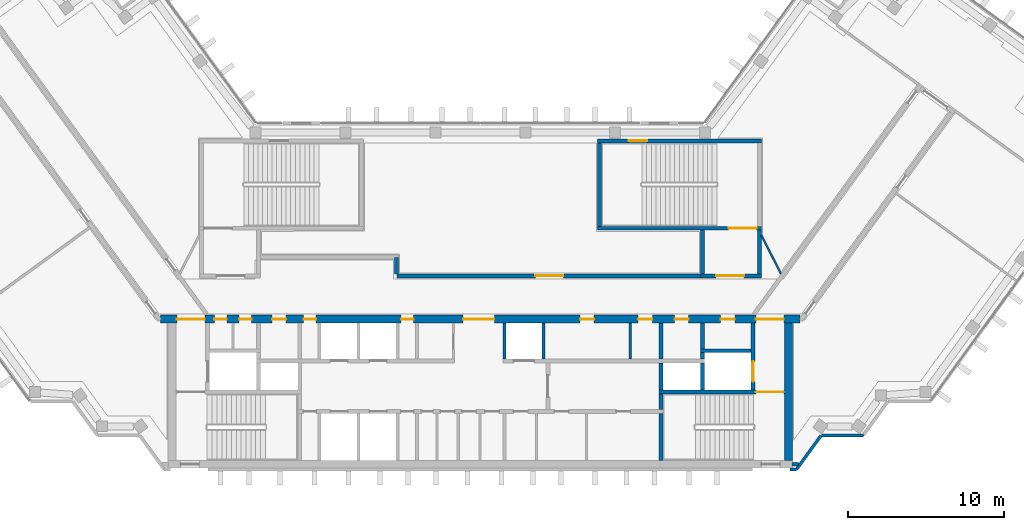
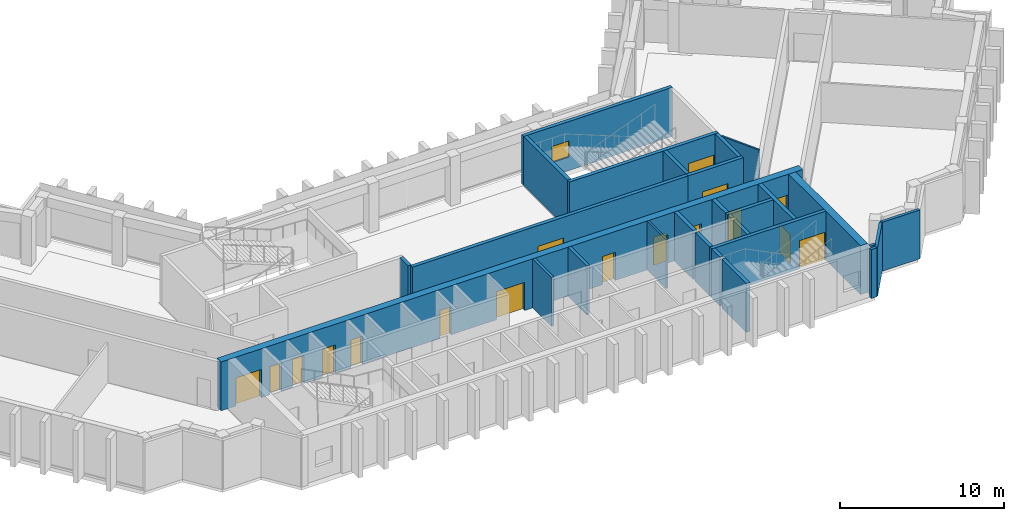
# One storey, part 5 of 8: 28 walls, 17 doors, 1 window, 18 openings.
"""IFC4 building model written with IfcOpenShell, lengths in metres."""

from ifc_helpers import new_model, si_unit, direction, frame, frame_2d, origin, place, context, subcontext, project, spatial, rectangle, extrude, material, layer, layer_set, type_object, element, fill, save


model = new_model("IFC4")

# Units and contexts
model_context = context("Model", 3, precision=1e-05, world=origin(), true_north=direction((0.0, 1.0)))
body_context = subcontext(model_context, "Body", "Model", "MODEL_VIEW")
ifc_project = project(units=[si_unit("LENGTHUNIT", "METRE"), si_unit("AREAUNIT", "SQUARE_METRE"), si_unit("VOLUMEUNIT", "CUBIC_METRE"), si_unit("PLANEANGLEUNIT", "RADIAN"), si_unit("MASSUNIT", "GRAM", prefix="KILO")], contexts=[model_context])

# Site, building, storey
site_placement = place(None, origin())
site = spatial("IfcSite", under=ifc_project, at=site_placement, CompositionType="ELEMENT")
building_placement = place(site_placement, origin())
building = spatial("IfcBuilding", under=site, at=building_placement, Name="Quipu Civic Tower", CompositionType="ELEMENT")
storey_placement = place(building_placement, frame((0.0, 0.0, 281.0)))
storey = spatial("IfcBuildingStorey", under=building, at=storey_placement, Name="L65", CompositionType="ELEMENT", Elevation=281.0)

# Walls
ifc_material_1 = material(Name="Concrete C70/85", Category="concrete")
ifc_layer_1 = layer(ifc_material_1, 0.25)
ifc_layer_set_1 = layer_set([ifc_layer_1], Name="Concrete C70/85")
wall_type_1 = type_object("IfcWallType", Name="Core wall 250", PredefinedType="SHEAR", material=ifc_layer_set_1)
wall_1_placement = place(storey_placement, frame((11.574951171875, -10.5, 0.0), z_axis=(0.0, 0.0, 1.0), x_axis=(0.0, 1.0, 0.0)))
element("IfcWall", 1, at=wall_1_placement, inside=storey, type_object=wall_type_1, Name="Core wall", PredefinedType="SHEAR", context=body_context, shape_type="SweptSolid", body=[
    extrude(rectangle(XDim=3.0, YDim=0.25, at=frame_2d((1.5, 0.0))), origin(), (0.0, 0.0, 1.0), 3.64990234375),
])
wall_2_placement = place(storey_placement, frame((11.574951171875, -7.25, 0.0), z_axis=(0.0, 0.0, 1.0), x_axis=(0.0, 1.0, 0.0)))
element("IfcWall", 2, at=wall_2_placement, inside=storey, type_object=wall_type_1, Name="Core wall", PredefinedType="SHEAR", context=body_context, shape_type="SweptSolid", body=[
    extrude(rectangle(XDim=1.0, YDim=0.25, at=frame_2d((0.5, 0.0))), origin(), (0.0, 0.0, 1.0), 3.64990234375),
])

# Wall, opening, door
wall_3_placement = place(storey_placement, frame((19.5, -6.125, 0.0), z_axis=(0.0, 0.0, 1.0), x_axis=(-1.0, 0.0, 0.0)))
wall_3 = element("IfcWall", 3, at=wall_3_placement, inside=storey, type_object=wall_type_1, Name="Core wall", PredefinedType="SHEAR", context=body_context, shape_type="SweptSolid", body=[
    extrude(rectangle(XDim=8.050048828125, YDim=0.25, at=frame_2d((4.02490234375, 0.0))), origin(), (0.0, 0.0, 1.0), 3.64990234375),
])
opening_1_placement = place(wall_3_placement, frame((0.050048828125, 0.0, 0.0)))
opening_1 = element("IfcOpeningElement", 4, at=opening_1_placement, cuts=wall_3, Name="Opening CD-11", PredefinedType="OPENING", context=body_context, shape_type="SweptSolid", body=[
    extrude(rectangle(XDim=1.800048828125, YDim=2.10009765625, at=frame_2d((0.89990234375, 1.050048828125))), frame((0.0, 0.135009765625, 0.0), z_axis=(0.0, -1.0, 0.0), x_axis=(1.0, 0.0, 0.0)), (0.0, 0.0, 1.0), 0.27001953125),
])
ifc_material_2 = material(Name="Fire rated steel door", Category="steel")
door_type_1 = type_object("IfcDoorType", Name="Fire door FD90 double 1800 x 2100", OperationType="NOTDEFINED", PredefinedType="DOOR", material=ifc_material_2)
door_1_placement = place(opening_1_placement, origin())
door_1 = element("IfcDoor", 5, at=door_1_placement, inside=storey, type_object=door_type_1, Name="Door", OperationType="DOUBLE_DOOR_SINGLE_SWING", OverallHeight=2.10009765625, OverallWidth=1.800048828125, PredefinedType="DOOR", context=body_context, shape_type="SweptSolid", body=[
    extrude(rectangle(XDim=1.800048828125, YDim=2.10009765625, at=frame_2d((0.89990234375, 1.050048828125))), frame((0.0, 0.02490234375, 0.0), z_axis=(0.0, -1.0, 0.0), x_axis=(1.0, 0.0, 0.0)), (0.0, 0.0, 1.0), 0.050048828125),
])
fill(opening_1, door_1)

# Walls
for number, where, z_axis, x_axis, name in (
    (6, (11.574951171875, -6.0, 0.0), (0.0, 0.0, 1.0), (0.0, 1.0, 0.0), "Core wall"),
    (7, (14.22509765625, -6.0, 0.0), (0.0, 0.0, 1.0), (0.0, 1.0, 0.0), "Core wall"),
):
    element("IfcWall", number, at=place(storey_placement, frame(where, z_axis=z_axis, x_axis=x_axis)), inside=storey, type_object=wall_type_1, Name=name, PredefinedType="SHEAR", context=body_context, shape_type="SweptSolid", body=[
        extrude(rectangle(XDim=1.75, YDim=0.25, at=frame_2d((0.875, 0.0))), origin(), (0.0, 0.0, 1.0), 3.64990234375),
    ])

# Wall, opening, door
wall_4_placement = place(storey_placement, frame((17.47509765625, -6.0, 0.0), z_axis=(0.0, 0.0, 1.0), x_axis=(0.0, 1.0, 0.0)))
wall_4 = element("IfcWall", 8, at=wall_4_placement, inside=storey, type_object=wall_type_1, Name="Core wall", PredefinedType="SHEAR", context=body_context, shape_type="SweptSolid", body=[
    extrude(rectangle(XDim=4.300048828125, YDim=0.25, at=frame_2d((2.14990234375, 0.0))), origin(), (0.0, 0.0, 1.0), 3.64990234375),
])
opening_2_placement = place(wall_4_placement, frame((0.550048828125, 0.0, 0.0)))
opening_2 = element("IfcOpeningElement", 9, at=opening_2_placement, cuts=wall_4, Name="Opening LD-FF2", PredefinedType="OPENING", context=body_context, shape_type="SweptSolid", body=[
    extrude(rectangle(XDim=1.300048828125, YDim=2.10009765625, at=frame_2d((0.64990234375, 1.050048828125))), frame((0.0, 0.135009765625, 0.0), z_axis=(0.0, -1.0, 0.0), x_axis=(1.0, 0.0, 0.0)), (0.0, 0.0, 1.0), 0.27001953125),
])
ifc_material_3 = material(Name="Stainless steel", Category="steel")
door_type_2 = type_object("IfcDoorType", Name="Lift landing door 1300 x 2100", OperationType="DOUBLE_DOOR_SLIDING", PredefinedType="DOOR", material=ifc_material_3)
door_2_placement = place(opening_2_placement, origin())
door_2 = element("IfcDoor", 10, at=door_2_placement, inside=storey, type_object=door_type_2, Name="Landing door FF2", OperationType="DOUBLE_DOOR_SLIDING", OverallHeight=2.10009765625, OverallWidth=1.300048828125, PredefinedType="DOOR", context=body_context, shape_type="SweptSolid", body=[
    extrude(rectangle(XDim=1.300048828125, YDim=2.10009765625, at=frame_2d((0.64990234375, 1.050048828125))), frame((0.0, 0.02490234375, 0.0), z_axis=(0.0, -1.0, 0.0), x_axis=(1.0, 0.0, 0.0)), (0.0, 0.0, 1.0), 0.050048828125),
])
fill(opening_2, door_2)

# Walls
wall_5_placement = place(storey_placement, frame((11.574951171875, -4.0, 0.0), z_axis=(0.0, 0.0, 1.0), x_axis=(0.0, 1.0, 0.0)))
element("IfcWall", 11, at=wall_5_placement, inside=storey, type_object=wall_type_1, Name="Core wall", PredefinedType="SHEAR", context=body_context, shape_type="SweptSolid", body=[
    extrude(rectangle(XDim=2.300048828125, YDim=0.25, at=frame_2d((1.14990234375, 0.0))), origin(), (0.0, 0.0, 1.0), 3.64990234375),
])
wall_6_placement = place(storey_placement, frame((14.22509765625, -4.0, 0.0), z_axis=(0.0, 0.0, 1.0), x_axis=(0.0, 1.0, 0.0)))
element("IfcWall", 12, at=wall_6_placement, inside=storey, type_object=wall_type_1, Name="Core wall", PredefinedType="SHEAR", context=body_context, shape_type="SweptSolid", body=[
    extrude(rectangle(XDim=0.39990234375, YDim=0.25, at=frame_2d((0.199951171875, 0.0))), origin(), (0.0, 0.0, 1.0), 3.64990234375),
])
wall_7_placement = place(storey_placement, frame((14.10009765625, -3.47509765625, 0.0), z_axis=(0.0, 0.0, 1.0), x_axis=(1.0, 0.0, 0.0)))
element("IfcWall", 13, at=wall_7_placement, inside=storey, type_object=wall_type_1, Name="Core wall", PredefinedType="SHEAR", context=body_context, shape_type="SweptSolid", body=[
    extrude(rectangle(XDim=3.25, YDim=0.25, at=frame_2d((1.625, 0.0))), origin(), (0.0, 0.0, 1.0), 3.64990234375),
])
wall_8_placement = place(storey_placement, frame((14.22509765625, -3.35009765625, 0.0), z_axis=(0.0, 0.0, 1.0), x_axis=(0.0, 1.0, 0.0)))
element("IfcWall", 14, at=wall_8_placement, inside=storey, type_object=wall_type_1, Name="Core wall", PredefinedType="SHEAR", context=body_context, shape_type="SweptSolid", body=[
    extrude(rectangle(XDim=1.650146484375, YDim=0.25, at=frame_2d((0.8251953125, 0.0))), origin(), (0.0, 0.0, 1.0), 3.64990234375),
])

# Wall, opening, door
wall_9_placement = place(storey_placement, frame((14.10009765625, 1.324951171875, 0.0), z_axis=(0.0, 0.0, 1.0), x_axis=(1.0, 0.0, 0.0)))
wall_9 = element("IfcWall", 15, at=wall_9_placement, inside=storey, type_object=wall_type_1, Name="Core wall", PredefinedType="SHEAR", context=body_context, shape_type="SweptSolid", body=[
    extrude(rectangle(XDim=3.89990234375, YDim=0.25, at=frame_2d((1.949951171875, 0.0))), origin(), (0.0, 0.0, 1.0), 3.64990234375),
])
opening_3_placement = place(wall_9_placement, frame((1.0, 0.0, 0.0)))
opening_3 = element("IfcOpeningElement", 16, at=opening_3_placement, cuts=wall_9, Name="Opening CD-28", PredefinedType="OPENING", context=body_context, shape_type="SweptSolid", body=[
    extrude(rectangle(XDim=1.800048828125, YDim=2.10009765625, at=frame_2d((0.89990234375, 1.050048828125))), frame((0.0, 0.135009765625, 0.0), z_axis=(0.0, -1.0, 0.0), x_axis=(1.0, 0.0, 0.0)), (0.0, 0.0, 1.0), 0.27001953125),
])
door_3_placement = place(opening_3_placement, origin())
door_3 = element("IfcDoor", 17, at=door_3_placement, inside=storey, type_object=door_type_1, Name="Lobby door", OperationType="DOUBLE_DOOR_SINGLE_SWING", OverallHeight=2.10009765625, OverallWidth=1.800048828125, PredefinedType="DOOR", context=body_context, shape_type="SweptSolid", body=[
    extrude(rectangle(XDim=1.800048828125, YDim=2.10009765625, at=frame_2d((0.89990234375, 1.050048828125))), frame((0.0, 0.02490234375, 0.0), z_axis=(0.0, -1.0, 0.0), x_axis=(1.0, 0.0, 0.0)), (0.0, 0.0, 1.0), 0.050048828125),
])
fill(opening_3, door_3)

# Walls
for number, where, z_axis, x_axis, name in (
    (18, (14.22509765625, 1.449951171875, 0.0), (0.0, 0.0, 1.0), (0.0, 1.0, 0.0), "Core wall"),
    (19, (17.875, 1.449951171875, 0.0), (0.0, 0.0, 1.0), (0.0, 1.0, 0.0), "Core wall"),
):
    element("IfcWall", number, at=place(storey_placement, frame(where, z_axis=z_axis, x_axis=x_axis)), inside=storey, type_object=wall_type_1, Name=name, PredefinedType="SHEAR", context=body_context, shape_type="SweptSolid", body=[
        extrude(rectangle(XDim=2.800048828125, YDim=0.25, at=frame_2d((1.39990234375, 0.0))), origin(), (0.0, 0.0, 1.0), 3.64990234375),
    ])

# Wall, opening, door
wall_10_placement = place(storey_placement, frame((7.5, 4.375, 0.0), z_axis=(0.0, 0.0, 1.0), x_axis=(1.0, 0.0, 0.0)))
wall_10 = element("IfcWall", 20, at=wall_10_placement, inside=storey, type_object=wall_type_1, Name="Core wall", PredefinedType="SHEAR", context=body_context, shape_type="SweptSolid", body=[
    extrude(rectangle(XDim=10.5, YDim=0.25, at=frame_2d((5.25, 0.0))), origin(), (0.0, 0.0, 1.0), 3.64990234375),
])
opening_4_placement = place(wall_10_placement, frame((8.39990234375, 0.0, 0.0)))
opening_4 = element("IfcOpeningElement", 21, at=opening_4_placement, cuts=wall_10, Name="Opening CD-29", PredefinedType="OPENING", context=body_context, shape_type="SweptSolid", body=[
    extrude(rectangle(XDim=1.800048828125, YDim=2.10009765625, at=frame_2d((0.89990234375, 1.050048828125))), frame((0.0, 0.135009765625, 0.0), z_axis=(0.0, -1.0, 0.0), x_axis=(1.0, 0.0, 0.0)), (0.0, 0.0, 1.0), 0.27001953125),
])
door_4_placement = place(opening_4_placement, origin())
door_4 = element("IfcDoor", 22, at=door_4_placement, inside=storey, type_object=door_type_1, Name="Door", OperationType="DOUBLE_DOOR_SINGLE_SWING", OverallHeight=2.10009765625, OverallWidth=1.800048828125, PredefinedType="DOOR", context=body_context, shape_type="SweptSolid", body=[
    extrude(rectangle(XDim=1.800048828125, YDim=2.10009765625, at=frame_2d((0.89990234375, 1.050048828125))), frame((0.0, 0.02490234375, 0.0), z_axis=(0.0, -1.0, 0.0), x_axis=(1.0, 0.0, 0.0)), (0.0, 0.0, 1.0), 0.050048828125),
])
fill(opening_4, door_4)

# Wall
wall_11_placement = place(storey_placement, frame((7.625, 4.5, 0.0), z_axis=(0.0, 0.0, 1.0), x_axis=(0.0, 1.0, 0.0)))
element("IfcWall", 23, at=wall_11_placement, inside=storey, type_object=wall_type_1, Name="Core wall", PredefinedType="SHEAR", context=body_context, shape_type="SweptSolid", body=[
    extrude(rectangle(XDim=5.35009765625, YDim=0.25, at=frame_2d((2.675048828125, 0.0))), origin(), (0.0, 0.0, 1.0), 3.64990234375),
])

# Wall, opening, window
wall_12_placement = place(storey_placement, frame((7.5, 9.97509765625, 0.0), z_axis=(0.0, 0.0, 1.0), x_axis=(1.0, 0.0, 0.0)))
wall_12 = element("IfcWall", 24, at=wall_12_placement, inside=storey, type_object=wall_type_1, Name="Core wall", PredefinedType="SHEAR", context=body_context, shape_type="SweptSolid", body=[
    extrude(rectangle(XDim=10.5, YDim=0.25, at=frame_2d((5.25, 0.0))), origin(), (0.0, 0.0, 1.0), 3.64990234375),
])
opening_5_placement = place(wall_12_placement, frame((2.0, 0.0, 1.0)))
opening_5 = element("IfcOpeningElement", 25, at=opening_5_placement, cuts=wall_12, Name="Opening SV-4", PredefinedType="OPENING", context=body_context, shape_type="SweptSolid", body=[
    extrude(rectangle(XDim=1.199951171875, YDim=1.199951171875, at=frame_2d((0.60009765625, 0.60009765625))), frame((0.0, 0.135009765625, 0.0), z_axis=(0.0, -1.0, 0.0), x_axis=(1.0, 0.0, 0.0)), (0.0, 0.0, 1.0), 0.27001953125),
])
ifc_material_4 = material(Name="Aluminium louvre", Category="aluminium")
window_type = type_object("IfcWindowType", Name="Stair ventilation louvre 1200 x 1200", PartitioningType="SINGLE_PANEL", PredefinedType="WINDOW", material=ifc_material_4)
window_placement = place(opening_5_placement, origin())
window = element("IfcWindow", 26, at=window_placement, inside=storey, type_object=window_type, Name="Stair ventilation opening", OverallHeight=1.199951171875, OverallWidth=1.199951171875, PartitioningType="SINGLE_PANEL", PredefinedType="WINDOW", context=body_context, shape_type="SweptSolid", body=[
    extrude(rectangle(XDim=1.199951171875, YDim=1.199951171875, at=frame_2d((0.60009765625, 0.60009765625))), frame((0.0, 0.030029296875, 0.0), z_axis=(0.0, -1.0, 0.0), x_axis=(1.0, 0.0, 0.0)), (0.0, 0.0, 1.0), 0.06005859375),
])
fill(opening_5, window)

# Wall
ifc_material_5 = material(Name="Concrete C70/85", Category="concrete")
ifc_layer_2 = layer(ifc_material_5, 0.5)
ifc_layer_set_2 = layer_set([ifc_layer_2], Name="Concrete C70/85")
wall_type_2 = type_object("IfcWallType", Name="Core wall 500", PredefinedType="SHEAR", material=ifc_layer_set_2)
wall_13_placement = place(storey_placement, frame((19.75, -10.5, 0.0), z_axis=(0.0, 0.0, 1.0), x_axis=(0.0, 1.0, 0.0)))
element("IfcWall", 27, at=wall_13_placement, inside=storey, type_object=wall_type_2, Name="Core wall", PredefinedType="SHEAR", context=body_context, shape_type="SweptSolid", body=[
    extrude(rectangle(XDim=8.800048828125, YDim=0.5, at=frame_2d((4.39990234375, 0.0))), origin(), (0.0, 0.0, 1.0), 3.64990234375),
])

# Wall, openings, doors
wall_14_placement = place(storey_placement, frame((20.489990234375, -1.449951171875, 0.0), z_axis=(0.0, 0.0, 1.0), x_axis=(-1.0, 0.0, 0.0)))
wall_14 = element("IfcWall", 28, at=wall_14_placement, inside=storey, type_object=wall_type_2, Name="Core wall", PredefinedType="SHEAR", context=body_context, shape_type="SweptSolid", body=[
    extrude(rectangle(XDim=40.97998046875, YDim=0.5, at=frame_2d((20.489990234375, 0.0))), origin(), (0.0, 0.0, 1.0), 3.64990234375),
])
opening_6_placement = place(wall_14_placement, frame((38.139892578125, 0.0, 0.0)))
opening_6 = element("IfcOpeningElement", 29, at=opening_6_placement, cuts=wall_14, Name="Opening CD-14", PredefinedType="OPENING", context=body_context, shape_type="SweptSolid", body=[
    extrude(rectangle(XDim=1.800048828125, YDim=2.10009765625, at=frame_2d((0.89990234375, 1.050048828125))), frame((0.0, 0.260009765625, 0.0), z_axis=(0.0, -1.0, 0.0), x_axis=(1.0, 0.0, 0.0)), (0.0, 0.0, 1.0), 0.52001953125),
])
opening_7_placement = place(wall_14_placement, frame((36.7275390625, 0.0, 0.0)))
opening_7 = element("IfcOpeningElement", 30, at=opening_7_placement, cuts=wall_14, Name="Opening CD-15", PredefinedType="OPENING", context=body_context, shape_type="SweptSolid", body=[
    extrude(rectangle(XDim=0.800048828125, YDim=2.10009765625, at=frame_2d((0.39990234375, 1.050048828125))), frame((0.0, 0.260009765625, 0.0), z_axis=(0.0, -1.0, 0.0), x_axis=(1.0, 0.0, 0.0)), (0.0, 0.0, 1.0), 0.52001953125),
])
opening_8_placement = place(wall_14_placement, frame((35.152587890625, 0.0, 0.0)))
opening_8 = element("IfcOpeningElement", 31, at=opening_8_placement, cuts=wall_14, Name="Opening CD-16", PredefinedType="OPENING", context=body_context, shape_type="SweptSolid", body=[
    extrude(rectangle(XDim=0.800048828125, YDim=2.10009765625, at=frame_2d((0.39990234375, 1.050048828125))), frame((0.0, 0.260009765625, 0.0), z_axis=(0.0, -1.0, 0.0), x_axis=(1.0, 0.0, 0.0)), (0.0, 0.0, 1.0), 0.52001953125),
])
opening_9_placement = place(wall_14_placement, frame((32.93994140625, 0.0, 0.0)))
opening_9 = element("IfcOpeningElement", 32, at=opening_9_placement, cuts=wall_14, Name="Opening CD-17", PredefinedType="OPENING", context=body_context, shape_type="SweptSolid", body=[
    extrude(rectangle(XDim=0.89990234375, YDim=2.10009765625, at=frame_2d((0.449951171875, 1.050048828125))), frame((0.0, 0.260009765625, 0.0), z_axis=(0.0, -1.0, 0.0), x_axis=(1.0, 0.0, 0.0)), (0.0, 0.0, 1.0), 0.52001953125),
])
opening_10_placement = place(wall_14_placement, frame((31.014892578125, 0.0, 0.0)))
opening_10 = element("IfcOpeningElement", 33, at=opening_10_placement, cuts=wall_14, Name="Opening CD-18", PredefinedType="OPENING", context=body_context, shape_type="SweptSolid", body=[
    extrude(rectangle(XDim=0.800048828125, YDim=2.10009765625, at=frame_2d((0.39990234375, 1.050048828125))), frame((0.0, 0.260009765625, 0.0), z_axis=(0.0, -1.0, 0.0), x_axis=(1.0, 0.0, 0.0)), (0.0, 0.0, 1.0), 0.52001953125),
])
opening_11_placement = place(wall_14_placement, frame((24.764892578125, 0.0, 0.0)))
opening_11 = element("IfcOpeningElement", 34, at=opening_11_placement, cuts=wall_14, Name="Opening CD-19", PredefinedType="OPENING", context=body_context, shape_type="SweptSolid", body=[
    extrude(rectangle(XDim=0.800048828125, YDim=2.10009765625, at=frame_2d((0.39990234375, 1.050048828125))), frame((0.0, 0.260009765625, 0.0), z_axis=(0.0, -1.0, 0.0), x_axis=(1.0, 0.0, 0.0)), (0.0, 0.0, 1.0), 0.52001953125),
])
opening_12_placement = place(wall_14_placement, frame((19.590087890625, 0.0, 0.0)))
opening_12 = element("IfcOpeningElement", 35, at=opening_12_placement, cuts=wall_14, Name="Opening CD-20", PredefinedType="OPENING", context=body_context, shape_type="SweptSolid", body=[
    extrude(rectangle(XDim=2.0, YDim=2.10009765625, at=frame_2d((1.0, 1.050048828125))), frame((0.0, 0.260009765625, 0.0), z_axis=(0.0, -1.0, 0.0), x_axis=(1.0, 0.0, 0.0)), (0.0, 0.0, 1.0), 0.52001953125),
])
opening_13_placement = place(wall_14_placement, frame((13.202392578125, 0.0, 0.0)))
opening_13 = element("IfcOpeningElement", 36, at=opening_13_placement, cuts=wall_14, Name="Opening CD-21", PredefinedType="OPENING", context=body_context, shape_type="SweptSolid", body=[
    extrude(rectangle(XDim=0.89990234375, YDim=2.10009765625, at=frame_2d((0.449951171875, 1.050048828125))), frame((0.0, 0.260009765625, 0.0), z_axis=(0.0, -1.0, 0.0), x_axis=(1.0, 0.0, 0.0)), (0.0, 0.0, 1.0), 0.52001953125),
])
opening_14_placement = place(wall_14_placement, frame((9.4775390625, 0.0, 0.0)))
opening_14 = element("IfcOpeningElement", 37, at=opening_14_placement, cuts=wall_14, Name="Opening CD-22", PredefinedType="OPENING", context=body_context, shape_type="SweptSolid", body=[
    extrude(rectangle(XDim=0.89990234375, YDim=2.10009765625, at=frame_2d((0.449951171875, 1.050048828125))), frame((0.0, 0.260009765625, 0.0), z_axis=(0.0, -1.0, 0.0), x_axis=(1.0, 0.0, 0.0)), (0.0, 0.0, 1.0), 0.52001953125),
])
opening_15_placement = place(wall_14_placement, frame((7.139892578125, 0.0, 0.0)))
opening_15 = element("IfcOpeningElement", 38, at=opening_15_placement, cuts=wall_14, Name="Opening CD-23", PredefinedType="OPENING", context=body_context, shape_type="SweptSolid", body=[
    extrude(rectangle(XDim=0.89990234375, YDim=2.10009765625, at=frame_2d((0.449951171875, 1.050048828125))), frame((0.0, 0.260009765625, 0.0), z_axis=(0.0, -1.0, 0.0), x_axis=(1.0, 0.0, 0.0)), (0.0, 0.0, 1.0), 0.52001953125),
])
opening_16_placement = place(wall_14_placement, frame((4.18994140625, 0.0, 0.0)))
opening_16 = element("IfcOpeningElement", 39, at=opening_16_placement, cuts=wall_14, Name="Opening CD-24", PredefinedType="OPENING", context=body_context, shape_type="SweptSolid", body=[
    extrude(rectangle(XDim=0.89990234375, YDim=2.10009765625, at=frame_2d((0.449951171875, 1.050048828125))), frame((0.0, 0.260009765625, 0.0), z_axis=(0.0, -1.0, 0.0), x_axis=(1.0, 0.0, 0.0)), (0.0, 0.0, 1.0), 0.52001953125),
])
opening_17_placement = place(wall_14_placement, frame((1.0400390625, 0.0, 0.0)))
opening_17 = element("IfcOpeningElement", 40, at=opening_17_placement, cuts=wall_14, Name="Opening CD-25", PredefinedType="OPENING", context=body_context, shape_type="SweptSolid", body=[
    extrude(rectangle(XDim=1.800048828125, YDim=2.10009765625, at=frame_2d((0.89990234375, 1.050048828125))), frame((0.0, 0.260009765625, 0.0), z_axis=(0.0, -1.0, 0.0), x_axis=(1.0, 0.0, 0.0)), (0.0, 0.0, 1.0), 0.52001953125),
])
ifc_material_6 = material(Name="Fire rated steel door", Category="steel")
door_type_3 = type_object("IfcDoorType", Name="Fire door FD60 800 x 2100", OperationType="NOTDEFINED", PredefinedType="DOOR", material=ifc_material_6)
door_5_placement = place(opening_7_placement, origin())
door_5 = element("IfcDoor", 41, at=door_5_placement, inside=storey, type_object=door_type_3, Name="Door", OperationType="SINGLE_SWING_RIGHT", OverallHeight=2.10009765625, OverallWidth=0.800048828125, PredefinedType="DOOR", context=body_context, shape_type="SweptSolid", body=[
    extrude(rectangle(XDim=0.800048828125, YDim=2.10009765625, at=frame_2d((0.39990234375, 1.050048828125))), frame((0.0, 0.02490234375, 0.0), z_axis=(0.0, -1.0, 0.0), x_axis=(1.0, 0.0, 0.0)), (0.0, 0.0, 1.0), 0.050048828125),
])
fill(opening_7, door_5)
door_6_placement = place(opening_8_placement, origin())
door_6 = element("IfcDoor", 42, at=door_6_placement, inside=storey, type_object=door_type_3, Name="Door", OperationType="SINGLE_SWING_RIGHT", OverallHeight=2.10009765625, OverallWidth=0.800048828125, PredefinedType="DOOR", context=body_context, shape_type="SweptSolid", body=[
    extrude(rectangle(XDim=0.800048828125, YDim=2.10009765625, at=frame_2d((0.39990234375, 1.050048828125))), frame((0.0, 0.02490234375, 0.0), z_axis=(0.0, -1.0, 0.0), x_axis=(1.0, 0.0, 0.0)), (0.0, 0.0, 1.0), 0.050048828125),
])
fill(opening_8, door_6)
door_7_placement = place(opening_10_placement, origin())
door_7 = element("IfcDoor", 43, at=door_7_placement, inside=storey, type_object=door_type_3, Name="Door", OperationType="SINGLE_SWING_RIGHT", OverallHeight=2.10009765625, OverallWidth=0.800048828125, PredefinedType="DOOR", context=body_context, shape_type="SweptSolid", body=[
    extrude(rectangle(XDim=0.800048828125, YDim=2.10009765625, at=frame_2d((0.39990234375, 1.050048828125))), frame((0.0, 0.02490234375, 0.0), z_axis=(0.0, -1.0, 0.0), x_axis=(1.0, 0.0, 0.0)), (0.0, 0.0, 1.0), 0.050048828125),
])
fill(opening_10, door_7)
door_8_placement = place(opening_11_placement, origin())
door_8 = element("IfcDoor", 44, at=door_8_placement, inside=storey, type_object=door_type_3, Name="Door", OperationType="SINGLE_SWING_RIGHT", OverallHeight=2.10009765625, OverallWidth=0.800048828125, PredefinedType="DOOR", context=body_context, shape_type="SweptSolid", body=[
    extrude(rectangle(XDim=0.800048828125, YDim=2.10009765625, at=frame_2d((0.39990234375, 1.050048828125))), frame((0.0, 0.02490234375, 0.0), z_axis=(0.0, -1.0, 0.0), x_axis=(1.0, 0.0, 0.0)), (0.0, 0.0, 1.0), 0.050048828125),
])
fill(opening_11, door_8)
ifc_material_7 = material(Name="Fire rated steel door", Category="steel")
door_type_4 = type_object("IfcDoorType", Name="Fire door FD60 900 x 2100", OperationType="NOTDEFINED", PredefinedType="DOOR", material=ifc_material_7)
door_9_placement = place(opening_9_placement, origin())
door_9 = element("IfcDoor", 45, at=door_9_placement, inside=storey, type_object=door_type_4, Name="Riser door", OperationType="SINGLE_SWING_RIGHT", OverallHeight=2.10009765625, OverallWidth=0.89990234375, PredefinedType="DOOR", context=body_context, shape_type="SweptSolid", body=[
    extrude(rectangle(XDim=0.89990234375, YDim=2.10009765625, at=frame_2d((0.449951171875, 1.050048828125))), frame((0.0, 0.02490234375, 0.0), z_axis=(0.0, -1.0, 0.0), x_axis=(1.0, 0.0, 0.0)), (0.0, 0.0, 1.0), 0.050048828125),
])
fill(opening_9, door_9)
door_10_placement = place(opening_13_placement, origin())
door_10 = element("IfcDoor", 46, at=door_10_placement, inside=storey, type_object=door_type_4, Name="Door", OperationType="SINGLE_SWING_LEFT", OverallHeight=2.10009765625, OverallWidth=0.89990234375, PredefinedType="DOOR", context=body_context, shape_type="SweptSolid", body=[
    extrude(rectangle(XDim=0.89990234375, YDim=2.10009765625, at=frame_2d((0.449951171875, 1.050048828125))), frame((0.0, 0.02490234375, 0.0), z_axis=(0.0, -1.0, 0.0), x_axis=(1.0, 0.0, 0.0)), (0.0, 0.0, 1.0), 0.050048828125),
])
fill(opening_13, door_10)
door_11_placement = place(opening_14_placement, origin())
door_11 = element("IfcDoor", 47, at=door_11_placement, inside=storey, type_object=door_type_4, Name="Door", OperationType="SINGLE_SWING_LEFT", OverallHeight=2.10009765625, OverallWidth=0.89990234375, PredefinedType="DOOR", context=body_context, shape_type="SweptSolid", body=[
    extrude(rectangle(XDim=0.89990234375, YDim=2.10009765625, at=frame_2d((0.449951171875, 1.050048828125))), frame((0.0, 0.02490234375, 0.0), z_axis=(0.0, -1.0, 0.0), x_axis=(1.0, 0.0, 0.0)), (0.0, 0.0, 1.0), 0.050048828125),
])
fill(opening_14, door_11)
door_12_placement = place(opening_15_placement, origin())
door_12 = element("IfcDoor", 48, at=door_12_placement, inside=storey, type_object=door_type_4, Name="Riser door", OperationType="SINGLE_SWING_LEFT", OverallHeight=2.10009765625, OverallWidth=0.89990234375, PredefinedType="DOOR", context=body_context, shape_type="SweptSolid", body=[
    extrude(rectangle(XDim=0.89990234375, YDim=2.10009765625, at=frame_2d((0.449951171875, 1.050048828125))), frame((0.0, 0.02490234375, 0.0), z_axis=(0.0, -1.0, 0.0), x_axis=(1.0, 0.0, 0.0)), (0.0, 0.0, 1.0), 0.050048828125),
])
fill(opening_15, door_12)
door_13_placement = place(opening_16_placement, origin())
door_13 = element("IfcDoor", 49, at=door_13_placement, inside=storey, type_object=door_type_4, Name="Door", OperationType="SINGLE_SWING_LEFT", OverallHeight=2.10009765625, OverallWidth=0.89990234375, PredefinedType="DOOR", context=body_context, shape_type="SweptSolid", body=[
    extrude(rectangle(XDim=0.89990234375, YDim=2.10009765625, at=frame_2d((0.449951171875, 1.050048828125))), frame((0.0, 0.02490234375, 0.0), z_axis=(0.0, -1.0, 0.0), x_axis=(1.0, 0.0, 0.0)), (0.0, 0.0, 1.0), 0.050048828125),
])
fill(opening_16, door_13)
door_14_placement = place(opening_6_placement, origin())
door_14 = element("IfcDoor", 50, at=door_14_placement, inside=storey, type_object=door_type_1, Name="Lobby door", OperationType="DOUBLE_DOOR_SINGLE_SWING", OverallHeight=2.10009765625, OverallWidth=1.800048828125, PredefinedType="DOOR", context=body_context, shape_type="SweptSolid", body=[
    extrude(rectangle(XDim=1.800048828125, YDim=2.10009765625, at=frame_2d((0.89990234375, 1.050048828125))), frame((0.0, 0.02490234375, 0.0), z_axis=(0.0, -1.0, 0.0), x_axis=(1.0, 0.0, 0.0)), (0.0, 0.0, 1.0), 0.050048828125),
])
fill(opening_6, door_14)
door_15_placement = place(opening_17_placement, origin())
door_15 = element("IfcDoor", 51, at=door_15_placement, inside=storey, type_object=door_type_1, Name="Lobby door", OperationType="DOUBLE_DOOR_SINGLE_SWING", OverallHeight=2.10009765625, OverallWidth=1.800048828125, PredefinedType="DOOR", context=body_context, shape_type="SweptSolid", body=[
    extrude(rectangle(XDim=1.800048828125, YDim=2.10009765625, at=frame_2d((0.89990234375, 1.050048828125))), frame((0.0, 0.02490234375, 0.0), z_axis=(0.0, -1.0, 0.0), x_axis=(1.0, 0.0, 0.0)), (0.0, 0.0, 1.0), 0.050048828125),
])
fill(opening_17, door_15)
ifc_material_8 = material(Name="Fire rated steel door", Category="steel")
door_type_5 = type_object("IfcDoorType", Name="Fire door FD90 double 2000 x 2100", OperationType="NOTDEFINED", PredefinedType="DOOR", material=ifc_material_8)
door_16_placement = place(opening_12_placement, origin())
door_16 = element("IfcDoor", 52, at=door_16_placement, inside=storey, type_object=door_type_5, Name="Lobby door", OperationType="DOUBLE_DOOR_SINGLE_SWING", OverallHeight=2.10009765625, OverallWidth=2.0, PredefinedType="DOOR", context=body_context, shape_type="SweptSolid", body=[
    extrude(rectangle(XDim=2.0, YDim=2.10009765625, at=frame_2d((1.0, 1.050048828125))), frame((0.0, 0.02490234375, 0.0), z_axis=(0.0, -1.0, 0.0), x_axis=(1.0, 0.0, 0.0)), (0.0, 0.0, 1.0), 0.050048828125),
])
fill(opening_12, door_16)

# Wall, opening, door
ifc_material_9 = material(Name="Concrete C50/60", Category="concrete")
ifc_layer_3 = layer(ifc_material_9, 0.25)
ifc_layer_set_3 = layer_set([ifc_layer_3], Name="Concrete C50/60")
wall_type_3 = type_object("IfcWallType", Name="Corridor wall 250 concrete", PredefinedType="SOLIDWALL", material=ifc_layer_set_3)
wall_15_placement = place(storey_placement, frame((-5.34130859375, 1.324951171875, 0.0), z_axis=(0.0, 0.0, 1.0), x_axis=(1.0, 0.0, 0.0)))
wall_15 = element("IfcWall", 53, at=wall_15_placement, inside=storey, type_object=wall_type_3, Name="Corridor wall C01", PredefinedType="SOLIDWALL", context=body_context, shape_type="SweptSolid", body=[
    extrude(rectangle(XDim=19.431396484375, YDim=0.25, at=frame_2d((9.7158203125, 0.0))), origin(), (0.0, 0.0, 1.0), 3.64990234375),
])
opening_18_placement = place(wall_15_placement, frame((8.8662109375, 0.0, 0.0)))
opening_18 = element("IfcOpeningElement", 54, at=opening_18_placement, cuts=wall_15, Name="Opening D005", PredefinedType="OPENING", context=body_context, shape_type="SweptSolid", body=[
    extrude(rectangle(XDim=1.800048828125, YDim=2.10009765625, at=frame_2d((0.89990234375, 1.050048828125))), frame((0.0, 0.135009765625, 0.0), z_axis=(0.0, -1.0, 0.0), x_axis=(1.0, 0.0, 0.0)), (0.0, 0.0, 1.0), 0.27001953125),
])
ifc_material_10 = material(Name="Fire rated timber door set with metal frame", Category="wood")
door_type_6 = type_object("IfcDoorType", Name="Double door 1800 x 2100 FD60", OperationType="DOUBLE_DOOR_SINGLE_SWING", PredefinedType="DOOR", material=ifc_material_10)
door_17_placement = place(opening_18_placement, origin())
door_17 = element("IfcDoor", 55, at=door_17_placement, inside=storey, type_object=door_type_6, Name="Door D005", OperationType="DOUBLE_DOOR_SINGLE_SWING", OverallHeight=2.10009765625, OverallWidth=1.800048828125, PredefinedType="DOOR", context=body_context, shape_type="SweptSolid", body=[
    extrude(rectangle(XDim=1.800048828125, YDim=2.10009765625, at=frame_2d((0.89990234375, 1.050048828125))), frame((0.0, 0.02490234375, 0.0), z_axis=(0.0, -1.0, 0.0), x_axis=(1.0, 0.0, 0.0)), (0.0, 0.0, 1.0), 0.050048828125),
])
fill(opening_18, door_17)

# Walls
wall_16_placement = place(storey_placement, frame((-5.375, 2.483642578125, 0.0), z_axis=(0.0, 0.0, 1.0), x_axis=(0.0, -1.0, 0.0)))
element("IfcWall", 56, at=wall_16_placement, inside=storey, type_object=wall_type_3, Name="Corridor wall C08", PredefinedType="SOLIDWALL", context=body_context, shape_type="SweptSolid", body=[
    extrude(rectangle(XDim=1.030029296875, YDim=0.25, at=frame_2d((0.51513671875, 0.0))), origin(), (0.0, 0.0, 1.0), 3.64990234375),
])
ifc_material_11 = material(Name="Gypsum plasterboard on light gauge framing")
ifc_layer_4 = layer(ifc_material_11, 0.1201171875)
ifc_layer_set_4 = layer_set([ifc_layer_4], Name="Gypsum plasterboard on light gauge framing")
wall_type_4 = type_object("IfcWallType", Name="Partition 120 plasterboard", PredefinedType="PARTITIONING", material=ifc_layer_set_4)
wall_17_placement = place(storey_placement, frame((18.0, 3.925048828125, 0.0), z_axis=(0.0, 0.0, 1.0), x_axis=(0.453950796792, -0.891026752736, 0.0)))
element("IfcWall", 57, at=wall_17_placement, inside=storey, type_object=wall_type_4, Name="Partition P05", PredefinedType="PARTITIONING", context=body_context, shape_type="SweptSolid", body=[
    extrude(rectangle(XDim=2.77783203125, YDim=0.1201171875, at=frame_2d((1.388916015625, 0.0))), origin(), (0.0, 0.0, 1.0), 3.64990234375),
])
ifc_material_12 = material(Name="Gypsum board partition")
ifc_layer_5 = layer(ifc_material_12, 0.14990234375)
ifc_layer_set_5 = layer_set([ifc_layer_5], Name="Gypsum board partition")
wall_type_5 = type_object("IfcWallType", Name="Partition 150", PredefinedType="PARTITIONING", material=ifc_layer_set_5)
wall_18_placement = place(storey_placement, frame((9.60009765625, -4.0, 0.0), z_axis=(0.0, 0.0, 1.0), x_axis=(0.0, 1.0, 0.0)))
element("IfcWall", 58, at=wall_18_placement, inside=storey, type_object=wall_type_5, Name="Partition", PredefinedType="PARTITIONING", context=body_context, shape_type="SweptSolid", body=[
    extrude(rectangle(XDim=2.300048828125, YDim=0.14990234375, at=frame_2d((1.14990234375, 0.0))), origin(), (0.0, 0.0, 1.0), 3.64990234375),
])
ifc_material_13 = material(Name="Precast concrete C40/50", Category="concrete")
wall_type_6 = type_object("IfcWallType", Name="Precast cladding wall", PredefinedType="SOLIDWALL", material=ifc_material_13)
wall_19_placement = place(storey_placement, frame((19.85009765625, -11.087890625, 0.0), z_axis=(0.0, 0.0, 1.0), x_axis=(1.0, 0.0, 0.0)))
element("IfcWall", 59, at=wall_19_placement, inside=storey, type_object=wall_type_6, Name="Precast cladding wall L65 18", PredefinedType="SOLIDWALL", context=body_context, shape_type="SweptSolid", body=[
    extrude(rectangle(XDim=0.40576171875, YDim=0.199951171875, at=frame_2d((0.202880859375, 0.0))), origin(), (0.0, 0.0, 1.0), 3.64990234375),
])
wall_20_placement = place(storey_placement, frame((20.253173828125, -11.083251953125, 0.0), z_axis=(0.0, 0.0, 1.0), x_axis=(0.587766567315, 0.809030569476, 0.0)))
element("IfcWall", 60, at=wall_20_placement, inside=storey, type_object=wall_type_6, Name="Precast cladding wall L65 19", PredefinedType="SOLIDWALL", context=body_context, shape_type="SweptSolid", body=[
    extrude(rectangle(XDim=2.687744140625, YDim=0.199951171875, at=frame_2d((1.34375, 0.0))), origin(), (0.0, 0.0, 1.0), 3.64990234375),
])
wall_21_placement = place(storey_placement, frame((21.8427734375, -8.90380859375, 0.0), z_axis=(0.0, 0.0, 1.0), x_axis=(1.0, 0.0, 0.0)))
element("IfcWall", 61, at=wall_21_placement, inside=storey, type_object=wall_type_6, Name="Precast cladding wall L65 20", PredefinedType="SOLIDWALL", context=body_context, shape_type="SweptSolid", body=[
    extrude(rectangle(XDim=2.699951171875, YDim=0.199951171875, at=frame_2d((1.35009765625, 0.0))), origin(), (0.0, 0.0, 1.0), 3.64990234375),
])
wall_22_placement = place(storey_placement, frame((19.97998046875, -10.75, 0.0), z_axis=(0.0, 0.0, 1.0), x_axis=(1.0, 0.0, 0.0)))
element("IfcWall", 62, at=wall_22_placement, inside=storey, type_object=wall_type_6, Name="Precast cladding return L65 E", PredefinedType="SOLIDWALL", context=body_context, shape_type="SweptSolid", body=[
    extrude(rectangle(XDim=0.41650390625, YDim=0.199951171875, at=frame_2d((0.208251953125, 0.0))), origin(), (0.0, 0.0, 1.0), 3.64990234375),
])
ifc_material_14 = material(Name="Concrete C40/50", Category="concrete")
ifc_layer_6 = layer(ifc_material_14, 0.199951171875)
ifc_layer_set_6 = layer_set([ifc_layer_6], Name="Concrete C40/50")
wall_type_7 = type_object("IfcWallType", Name="Shaft wall 200", PredefinedType="SOLIDWALL", material=ifc_layer_set_6)
for number, where, z_axis, x_axis, name in (
    (63, (1.550048828125, -4.0, 0.0), (0.0, 0.0, 1.0), (0.0, 1.0, 0.0), "Shaft wall"),
    (64, (4.050048828125, -4.0, 0.0), (0.0, 0.0, 1.0), (0.0, 1.0, 0.0), "Shaft wall"),
):
    element("IfcWall", number, at=place(storey_placement, frame(where, z_axis=z_axis, x_axis=x_axis)), inside=storey, type_object=wall_type_7, Name=name, PredefinedType="SOLIDWALL", context=body_context, shape_type="SweptSolid", body=[
        extrude(rectangle(XDim=2.300048828125, YDim=0.199951171875, at=frame_2d((1.14990234375, 0.0))), origin(), (0.0, 0.0, 1.0), 3.64990234375),
    ])

save(model, "model.ifc")
